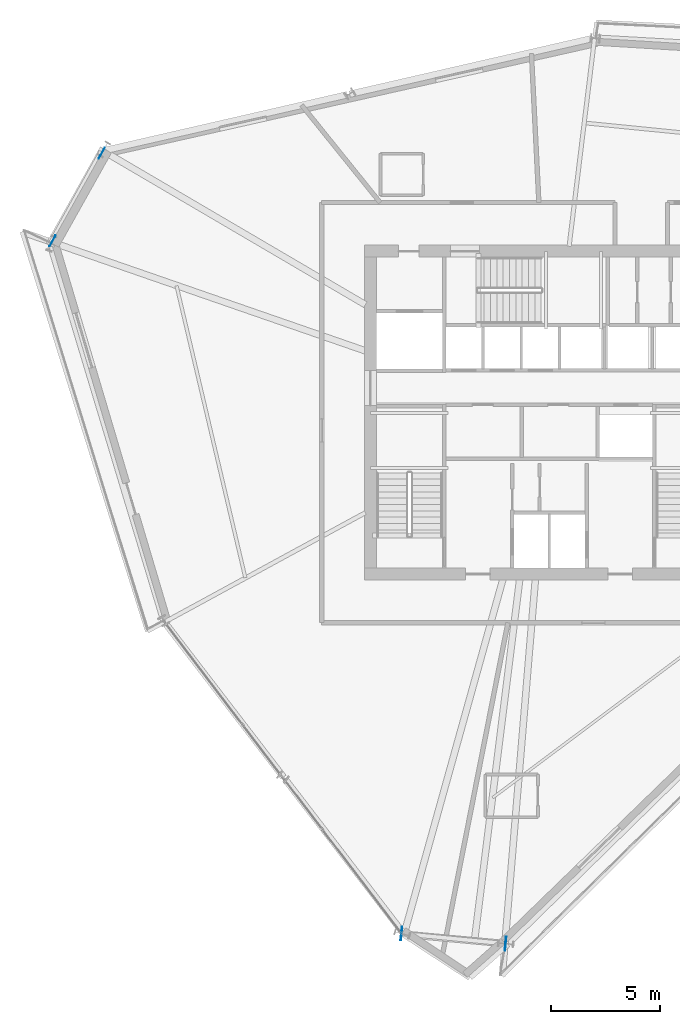
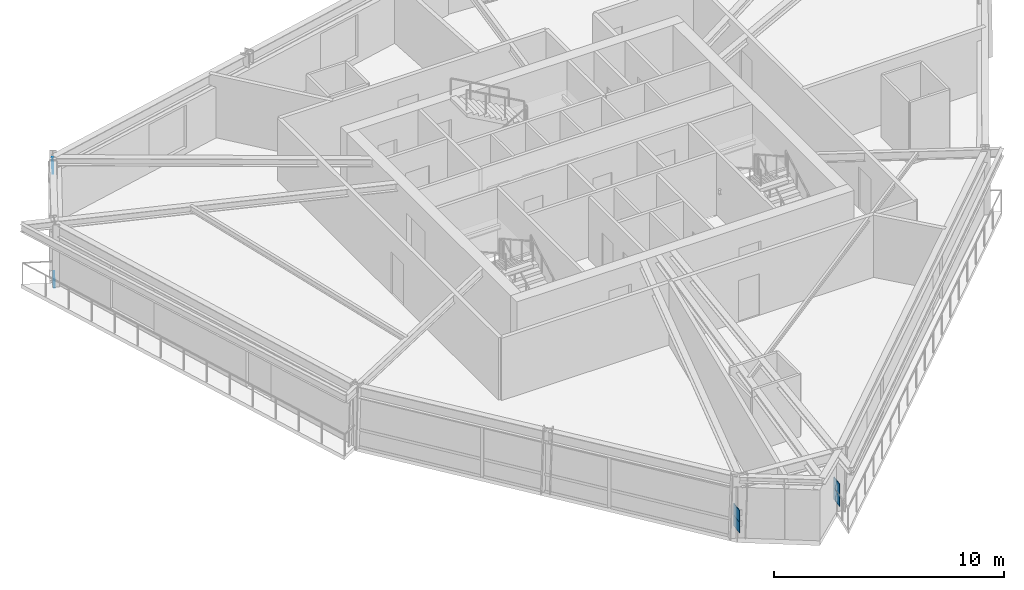
# One storey, part 6 of 14: 6 plates.
"""IFC4 building model written with IfcOpenShell, lengths in metres."""

from ifc_helpers import new_model, si_unit, direction, frame, origin, origin_2d, place, context, subcontext, project, spatial, rectangle, extrude, source, transform, mapped, material, type_object, element, save


model = new_model("IFC4")

# Units and contexts
model_context = context("Model", 3, precision=1e-05, world=origin(), true_north=direction((0.0, 1.0)))
body_context = subcontext(model_context, "Body", "Model", "MODEL_VIEW")
ifc_project = project(units=[si_unit("LENGTHUNIT", "METRE"), si_unit("AREAUNIT", "SQUARE_METRE"), si_unit("VOLUMEUNIT", "CUBIC_METRE"), si_unit("PLANEANGLEUNIT", "RADIAN"), si_unit("MASSUNIT", "GRAM", prefix="KILO")], contexts=[model_context])

# Site, building, storey
site_placement = place(None, origin())
site = spatial("IfcSite", under=ifc_project, at=site_placement, CompositionType="ELEMENT")
building_placement = place(site_placement, origin())
building = spatial("IfcBuilding", under=site, at=building_placement, Name="Olszyna Solenne Hotel", CompositionType="ELEMENT")
storey_placement = place(building_placement, frame((0.0, 0.0, 153.699951171875)))
storey = spatial("IfcBuildingStorey", under=building, at=storey_placement, Name="L40", CompositionType="ELEMENT", Elevation=153.699951171875)

# Plates
ifc_material_1 = material(Name="Steel S460M", Category="steel")
plate_type_1 = type_object("IfcPlateType", Name="GP-CAP2", PredefinedType="USERDEFINED", material=ifc_material_1)
shared_shape_1 = source(origin(), body_context, "Body", "SweptSolid", [
    extrude(rectangle(XDim=0.030029296875, YDim=0.6201171875, at=origin_2d()), origin(), (0.0, 0.0, 1.0), 0.6201171875),
])
for number, where, z_axis, x_axis, name in (
    (1, (31.241943359375, 2.79443359375, 1.0400390625), (0.0, 0.0, 1.0), (0.995312178161, -0.096714362966, 0.0), "Hollow section end-cap plate GP-CAP2 CP-PR-M-L40-PR1-1"),
    (2, (36.0009765625, 2.33203125, 1.0400390625), (0.0, 0.0, 1.0), (0.995312178161, -0.096714362966, 0.0), "Hollow section end-cap plate GP-CAP2 CP-PR-M-L40-PR1-2"),
    (3, (31.241943359375, 2.79443359375, 0.469970703125), (0.0, 0.0, 1.0), (0.995312178161, -0.096714362966, 0.0), "Hollow section end-cap plate GP-CAP2 CP-PR-M-L40-PR2-1"),
    (4, (36.0009765625, 2.33203125, 0.469970703125), (0.0, 0.0, 1.0), (0.995312178161, -0.096714362966, 0.0), "Hollow section end-cap plate GP-CAP2 CP-PR-M-L40-PR2-2"),
):
    element("IfcPlate", number, at=place(storey_placement, frame(where, z_axis=z_axis, x_axis=x_axis)), inside=storey, type_object=plate_type_1, Name=name, ObjectType="GUSSET_PLATE", PredefinedType="USERDEFINED", context=body_context, shape_type="MappedRepresentation", body=[
        mapped(shared_shape_1, transform((0.0, 0.0, 0.0), x_axis=(1.0, 0.0, 0.0), y_axis=(0.0, 1.0, 0.0), z_axis=(0.0, 0.0, 1.0), scale=1.0)),
    ])
ifc_material_2 = material(Name="Steel S355J2", Category="steel")
plate_type_2 = type_object("IfcPlateType", Name="GP-ND2", PredefinedType="USERDEFINED", material=ifc_material_2)
shared_shape_2 = source(origin(), body_context, "Body", "SweptSolid", [
    extrude(rectangle(XDim=0.56005859375, YDim=0.02001953125, at=origin_2d()), origin(), (0.0, 0.0, 1.0), 0.47998046875),
])
for number, where, z_axis, x_axis, name in (
    (5, (15.306884765625, 34.449462890625, -0.15673828125), (0.0, 0.0, 1.0), (0.488164336698, 0.872751728945, 0.0), "Brace end connection gusset plate GP-ND2 EP-BR-L40-2-1"),
    (6, (17.5478515625, 38.455810546875, 2.65673828125), (0.0, 0.0, 1.0), (0.488164336698, 0.872751728945, 0.0), "Brace end connection gusset plate GP-ND2 EP-BR-L40-2-2"),
):
    element("IfcPlate", number, at=place(storey_placement, frame(where, z_axis=z_axis, x_axis=x_axis)), inside=storey, type_object=plate_type_2, Name=name, ObjectType="GUSSET_PLATE", PredefinedType="USERDEFINED", context=body_context, shape_type="MappedRepresentation", body=[
        mapped(shared_shape_2, transform((0.0, 0.0, 0.0), x_axis=(1.0, 0.0, 0.0), y_axis=(0.0, 1.0, 0.0), z_axis=(0.0, 0.0, 1.0), scale=1.0)),
    ])

save(model, "model.ifc")
